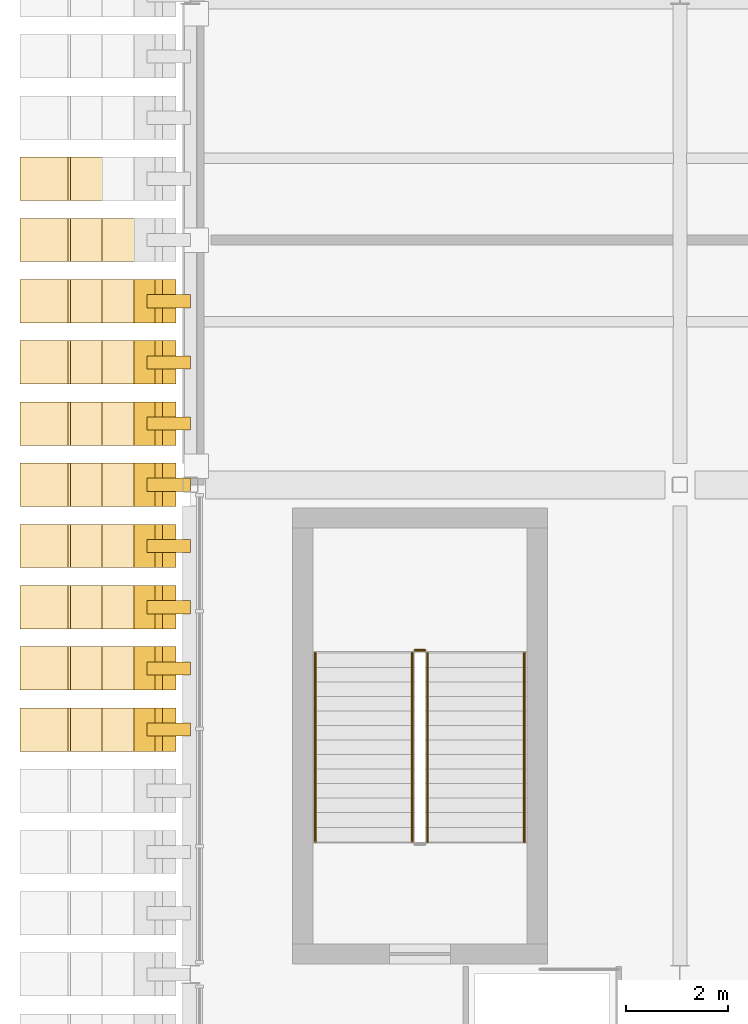
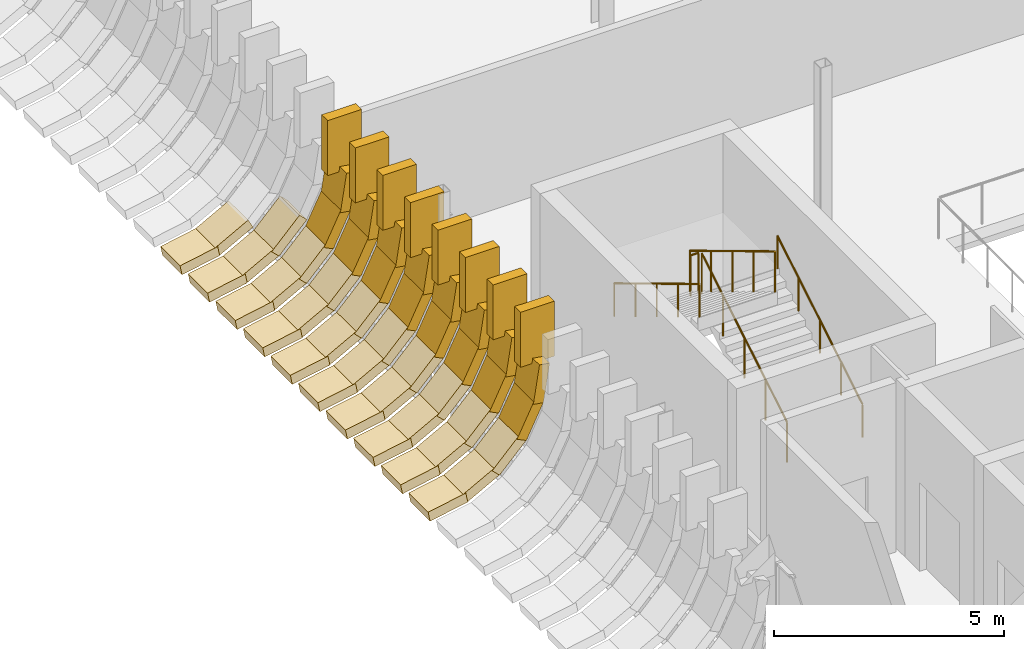
# One storey, part 76 of 100: 53 coverings, 5 railings.
"""IFC4 building model written with IfcOpenShell, lengths in metres."""

from ifc_helpers import new_model, si_unit, direction, frame, origin, origin_2d, place, context, subcontext, project, spatial, rectangle, circle, extrude, material, material_profile, profile_set, type_object, element, save


model = new_model("IFC4")

# Units and contexts
model_context = context("Model", 3, precision=1e-05, world=origin(), true_north=direction((0.0, 1.0)))
body_context = subcontext(model_context, "Body", "Model", "MODEL_VIEW")
ifc_project = project(units=[si_unit("LENGTHUNIT", "METRE"), si_unit("AREAUNIT", "SQUARE_METRE"), si_unit("VOLUMEUNIT", "CUBIC_METRE"), si_unit("PLANEANGLEUNIT", "RADIAN"), si_unit("MASSUNIT", "GRAM", prefix="KILO")], contexts=[model_context])

# Site, building, storey
site_placement = place(None, origin())
site = spatial("IfcSite", under=ifc_project, at=site_placement, CompositionType="ELEMENT")
building_placement = place(site_placement, origin())
building = spatial("IfcBuilding", under=site, at=building_placement, Name="Caelomonte Colonnade Arena", CompositionType="ELEMENT")
storey_placement = place(building_placement, origin())
storey = spatial("IfcBuildingStorey", under=building, at=storey_placement, Name="L00", CompositionType="ELEMENT", Elevation=0.0)

# Coverings
ifc_material_1 = material(Name="Precast travertine cladding", Category="masonry")
ifc_material_profile = material_profile(ifc_material_1, rectangle(XDim=0.260009765625, YDim=0.85009765625, at=origin_2d()), Name="FIN260X850")
ifc_profile_set = profile_set([ifc_material_profile], Name="Precast travertine cladding")
covering_type = type_object("IfcCoveringType", Name="ENV-FN-SKIRT", PredefinedType="CLADDING", material=ifc_profile_set)
covering_1_placement = place(storey_placement, frame((-1.567626953125, 73.199951171875, 1.061767578125), z_axis=(-0.879676382338, 0.0, -0.475572772935), x_axis=(-0.475572772935, 0.0, 0.879676382338)))
element("IfcCovering", 1, at=covering_1_placement, inside=storey, type_object=covering_type, Name="V5 L00 splayed classical fin skirt chord 4 (11)", PredefinedType="CLADDING", context=body_context, shape_type="SweptSolid", body=[
    extrude(rectangle(XDim=0.260009765625, YDim=0.85009765625, at=origin_2d()), origin(), (0.0, 0.0, 1.0), 1.0078125),
])
covering_2_placement = place(storey_placement, frame((-2.370361328125, 73.199951171875, 0.6123046875), z_axis=(-0.982296384632, 0.0, -0.187333426643), x_axis=(-0.187333426643, 0.0, 0.982296384632)))
element("IfcCovering", 2, at=covering_2_placement, inside=storey, type_object=covering_type, Name="V5 L00 splayed classical fin skirt chord 5 (11)", PredefinedType="CLADDING", context=body_context, shape_type="SweptSolid", body=[
    extrude(rectangle(XDim=0.260009765625, YDim=0.85009765625, at=origin_2d()), origin(), (0.0, 0.0, 1.0), 0.963134765625),
])
covering_3_placement = place(storey_placement, frame((-0.938232421875, 72.0, 1.733154296875), z_axis=(-0.694646381209, 0.0, -0.71935137803), x_axis=(-0.71935137803, 0.0, 0.694646381209)))
element("IfcCovering", 3, at=covering_3_placement, inside=storey, type_object=covering_type, Name="V5 L00 splayed classical fin skirt chord 3 (12)", PredefinedType="CLADDING", context=body_context, shape_type="SweptSolid", body=[
    extrude(rectangle(XDim=0.260009765625, YDim=0.85009765625, at=origin_2d()), origin(), (0.0, 0.0, 1.0), 1.008056640625),
])
covering_4_placement = place(storey_placement, frame((-1.567626953125, 72.0, 1.061767578125), z_axis=(-0.879676382338, 0.0, -0.475572772935), x_axis=(-0.475572772935, 0.0, 0.879676382338)))
element("IfcCovering", 4, at=covering_4_placement, inside=storey, type_object=covering_type, Name="V5 L00 splayed classical fin skirt chord 4 (12)", PredefinedType="CLADDING", context=body_context, shape_type="SweptSolid", body=[
    extrude(rectangle(XDim=0.260009765625, YDim=0.85009765625, at=origin_2d()), origin(), (0.0, 0.0, 1.0), 1.0078125),
])
covering_5_placement = place(storey_placement, frame((-2.370361328125, 72.0, 0.6123046875), z_axis=(-0.982296384632, 0.0, -0.187333426643), x_axis=(-0.187333426643, 0.0, 0.982296384632)))
element("IfcCovering", 5, at=covering_5_placement, inside=storey, type_object=covering_type, Name="V5 L00 splayed classical fin skirt chord 5 (12)", PredefinedType="CLADDING", context=body_context, shape_type="SweptSolid", body=[
    extrude(rectangle(XDim=0.260009765625, YDim=0.85009765625, at=origin_2d()), origin(), (0.0, 0.0, 1.0), 0.963134765625),
])
covering_6_placement = place(storey_placement, frame((-0.4208984375, 70.800048828125, 3.360107421875), z_axis=(0.0, 0.0, 1.0), x_axis=(0.0, 1.0, 0.0)))
element("IfcCovering", 6, at=covering_6_placement, inside=storey, type_object=covering_type, Name="V5 L00 upper classical fin stem 13", PredefinedType="CLADDING", context=body_context, shape_type="SweptSolid", body=[
    extrude(rectangle(XDim=0.260009765625, YDim=0.85009765625, at=origin_2d()), origin(), (0.0, 0.0, 1.0), 1.4599609375),
])
covering_7_placement = place(storey_placement, frame((-0.4140625, 70.800048828125, 3.474609375), z_axis=(-0.153076342973, 0.0, -0.988214366027), x_axis=(-0.988214366027, 0.0, 0.153076342973)))
element("IfcCovering", 7, at=covering_7_placement, inside=storey, type_object=covering_type, Name="V5 L00 splayed classical fin skirt chord 1 (13)", PredefinedType="CLADDING", context=body_context, shape_type="SweptSolid", body=[
    extrude(rectangle(XDim=0.260009765625, YDim=0.85009765625, at=origin_2d()), origin(), (0.0, 0.0, 1.0), 1.008056640625),
])
covering_8_placement = place(storey_placement, frame((-0.54150390625, 70.800048828125, 2.563232421875), z_axis=(-0.44449852268, 0.0, -0.895779584125), x_axis=(-0.895779584125, 0.0, 0.44449852268)))
element("IfcCovering", 8, at=covering_8_placement, inside=storey, type_object=covering_type, Name="V5 L00 splayed classical fin skirt chord 2 (13)", PredefinedType="CLADDING", context=body_context, shape_type="SweptSolid", body=[
    extrude(rectangle(XDim=0.260009765625, YDim=0.85009765625, at=origin_2d()), origin(), (0.0, 0.0, 1.0), 1.0078125),
])
covering_9_placement = place(storey_placement, frame((-0.938232421875, 70.800048828125, 1.733154296875), z_axis=(-0.694646381209, 0.0, -0.71935137803), x_axis=(-0.71935137803, 0.0, 0.694646381209)))
element("IfcCovering", 9, at=covering_9_placement, inside=storey, type_object=covering_type, Name="V5 L00 splayed classical fin skirt chord 3 (13)", PredefinedType="CLADDING", context=body_context, shape_type="SweptSolid", body=[
    extrude(rectangle(XDim=0.260009765625, YDim=0.85009765625, at=origin_2d()), origin(), (0.0, 0.0, 1.0), 1.008056640625),
])
covering_10_placement = place(storey_placement, frame((-1.567626953125, 70.800048828125, 1.061767578125), z_axis=(-0.879676382338, 0.0, -0.475572772935), x_axis=(-0.475572772935, 0.0, 0.879676382338)))
element("IfcCovering", 10, at=covering_10_placement, inside=storey, type_object=covering_type, Name="V5 L00 splayed classical fin skirt chord 4 (13)", PredefinedType="CLADDING", context=body_context, shape_type="SweptSolid", body=[
    extrude(rectangle(XDim=0.260009765625, YDim=0.85009765625, at=origin_2d()), origin(), (0.0, 0.0, 1.0), 1.0078125),
])
covering_11_placement = place(storey_placement, frame((-2.370361328125, 70.800048828125, 0.6123046875), z_axis=(-0.982296384632, 0.0, -0.187333426643), x_axis=(-0.187333426643, 0.0, 0.982296384632)))
element("IfcCovering", 11, at=covering_11_placement, inside=storey, type_object=covering_type, Name="V5 L00 splayed classical fin skirt chord 5 (13)", PredefinedType="CLADDING", context=body_context, shape_type="SweptSolid", body=[
    extrude(rectangle(XDim=0.260009765625, YDim=0.85009765625, at=origin_2d()), origin(), (0.0, 0.0, 1.0), 0.963134765625),
])
covering_12_placement = place(storey_placement, frame((-0.4208984375, 69.60009765625, 3.360107421875), z_axis=(0.0, 0.0, 1.0), x_axis=(0.0, 1.0, 0.0)))
element("IfcCovering", 12, at=covering_12_placement, inside=storey, type_object=covering_type, Name="V5 L00 upper classical fin stem 14", PredefinedType="CLADDING", context=body_context, shape_type="SweptSolid", body=[
    extrude(rectangle(XDim=0.260009765625, YDim=0.85009765625, at=origin_2d()), origin(), (0.0, 0.0, 1.0), 1.4599609375),
])
covering_13_placement = place(storey_placement, frame((-0.4140625, 69.60009765625, 3.474609375), z_axis=(-0.153076342973, 0.0, -0.988214366027), x_axis=(-0.988214366027, 0.0, 0.153076342973)))
element("IfcCovering", 13, at=covering_13_placement, inside=storey, type_object=covering_type, Name="V5 L00 splayed classical fin skirt chord 1 (14)", PredefinedType="CLADDING", context=body_context, shape_type="SweptSolid", body=[
    extrude(rectangle(XDim=0.260009765625, YDim=0.85009765625, at=origin_2d()), origin(), (0.0, 0.0, 1.0), 1.008056640625),
])
covering_14_placement = place(storey_placement, frame((-0.54150390625, 69.60009765625, 2.563232421875), z_axis=(-0.44449852268, 0.0, -0.895779584125), x_axis=(-0.895779584125, 0.0, 0.44449852268)))
element("IfcCovering", 14, at=covering_14_placement, inside=storey, type_object=covering_type, Name="V5 L00 splayed classical fin skirt chord 2 (14)", PredefinedType="CLADDING", context=body_context, shape_type="SweptSolid", body=[
    extrude(rectangle(XDim=0.260009765625, YDim=0.85009765625, at=origin_2d()), origin(), (0.0, 0.0, 1.0), 1.0078125),
])
covering_15_placement = place(storey_placement, frame((-0.938232421875, 69.60009765625, 1.733154296875), z_axis=(-0.694646381209, 0.0, -0.71935137803), x_axis=(-0.71935137803, 0.0, 0.694646381209)))
element("IfcCovering", 15, at=covering_15_placement, inside=storey, type_object=covering_type, Name="V5 L00 splayed classical fin skirt chord 3 (14)", PredefinedType="CLADDING", context=body_context, shape_type="SweptSolid", body=[
    extrude(rectangle(XDim=0.260009765625, YDim=0.85009765625, at=origin_2d()), origin(), (0.0, 0.0, 1.0), 1.008056640625),
])
covering_16_placement = place(storey_placement, frame((-1.567626953125, 69.60009765625, 1.061767578125), z_axis=(-0.879676382338, 0.0, -0.475572772935), x_axis=(-0.475572772935, 0.0, 0.879676382338)))
element("IfcCovering", 16, at=covering_16_placement, inside=storey, type_object=covering_type, Name="V5 L00 splayed classical fin skirt chord 4 (14)", PredefinedType="CLADDING", context=body_context, shape_type="SweptSolid", body=[
    extrude(rectangle(XDim=0.260009765625, YDim=0.85009765625, at=origin_2d()), origin(), (0.0, 0.0, 1.0), 1.0078125),
])
covering_17_placement = place(storey_placement, frame((-2.370361328125, 69.60009765625, 0.6123046875), z_axis=(-0.982296384632, 0.0, -0.187333426643), x_axis=(-0.187333426643, 0.0, 0.982296384632)))
element("IfcCovering", 17, at=covering_17_placement, inside=storey, type_object=covering_type, Name="V5 L00 splayed classical fin skirt chord 5 (14)", PredefinedType="CLADDING", context=body_context, shape_type="SweptSolid", body=[
    extrude(rectangle(XDim=0.260009765625, YDim=0.85009765625, at=origin_2d()), origin(), (0.0, 0.0, 1.0), 0.963134765625),
])
covering_18_placement = place(storey_placement, frame((-0.4208984375, 68.39990234375, 3.360107421875), z_axis=(0.0, 0.0, 1.0), x_axis=(0.0, 1.0, 0.0)))
element("IfcCovering", 18, at=covering_18_placement, inside=storey, type_object=covering_type, Name="V5 L00 upper classical fin stem 15", PredefinedType="CLADDING", context=body_context, shape_type="SweptSolid", body=[
    extrude(rectangle(XDim=0.260009765625, YDim=0.85009765625, at=origin_2d()), origin(), (0.0, 0.0, 1.0), 1.4599609375),
])
covering_19_placement = place(storey_placement, frame((-0.4140625, 68.39990234375, 3.474609375), z_axis=(-0.153076342973, 0.0, -0.988214366027), x_axis=(-0.988214366027, 0.0, 0.153076342973)))
element("IfcCovering", 19, at=covering_19_placement, inside=storey, type_object=covering_type, Name="V5 L00 splayed classical fin skirt chord 1 (15)", PredefinedType="CLADDING", context=body_context, shape_type="SweptSolid", body=[
    extrude(rectangle(XDim=0.260009765625, YDim=0.85009765625, at=origin_2d()), origin(), (0.0, 0.0, 1.0), 1.008056640625),
])
covering_20_placement = place(storey_placement, frame((-0.54150390625, 68.39990234375, 2.563232421875), z_axis=(-0.44449852268, 0.0, -0.895779584125), x_axis=(-0.895779584125, 0.0, 0.44449852268)))
element("IfcCovering", 20, at=covering_20_placement, inside=storey, type_object=covering_type, Name="V5 L00 splayed classical fin skirt chord 2 (15)", PredefinedType="CLADDING", context=body_context, shape_type="SweptSolid", body=[
    extrude(rectangle(XDim=0.260009765625, YDim=0.85009765625, at=origin_2d()), origin(), (0.0, 0.0, 1.0), 1.0078125),
])
covering_21_placement = place(storey_placement, frame((-0.938232421875, 68.39990234375, 1.733154296875), z_axis=(-0.694646381209, 0.0, -0.71935137803), x_axis=(-0.71935137803, 0.0, 0.694646381209)))
element("IfcCovering", 21, at=covering_21_placement, inside=storey, type_object=covering_type, Name="V5 L00 splayed classical fin skirt chord 3 (15)", PredefinedType="CLADDING", context=body_context, shape_type="SweptSolid", body=[
    extrude(rectangle(XDim=0.260009765625, YDim=0.85009765625, at=origin_2d()), origin(), (0.0, 0.0, 1.0), 1.008056640625),
])
covering_22_placement = place(storey_placement, frame((-1.567626953125, 68.39990234375, 1.061767578125), z_axis=(-0.879676382338, 0.0, -0.475572772935), x_axis=(-0.475572772935, 0.0, 0.879676382338)))
element("IfcCovering", 22, at=covering_22_placement, inside=storey, type_object=covering_type, Name="V5 L00 splayed classical fin skirt chord 4 (15)", PredefinedType="CLADDING", context=body_context, shape_type="SweptSolid", body=[
    extrude(rectangle(XDim=0.260009765625, YDim=0.85009765625, at=origin_2d()), origin(), (0.0, 0.0, 1.0), 1.0078125),
])
covering_23_placement = place(storey_placement, frame((-2.370361328125, 68.39990234375, 0.6123046875), z_axis=(-0.982296384632, 0.0, -0.187333426643), x_axis=(-0.187333426643, 0.0, 0.982296384632)))
element("IfcCovering", 23, at=covering_23_placement, inside=storey, type_object=covering_type, Name="V5 L00 splayed classical fin skirt chord 5 (15)", PredefinedType="CLADDING", context=body_context, shape_type="SweptSolid", body=[
    extrude(rectangle(XDim=0.260009765625, YDim=0.85009765625, at=origin_2d()), origin(), (0.0, 0.0, 1.0), 0.963134765625),
])
covering_24_placement = place(storey_placement, frame((-0.4208984375, 67.199951171875, 3.360107421875), z_axis=(0.0, 0.0, 1.0), x_axis=(0.0, 1.0, 0.0)))
element("IfcCovering", 24, at=covering_24_placement, inside=storey, type_object=covering_type, Name="V5 L00 upper classical fin stem 16", PredefinedType="CLADDING", context=body_context, shape_type="SweptSolid", body=[
    extrude(rectangle(XDim=0.260009765625, YDim=0.85009765625, at=origin_2d()), origin(), (0.0, 0.0, 1.0), 1.4599609375),
])
covering_25_placement = place(storey_placement, frame((-0.4140625, 67.199951171875, 3.474609375), z_axis=(-0.153076342973, 0.0, -0.988214366027), x_axis=(-0.988214366027, 0.0, 0.153076342973)))
element("IfcCovering", 25, at=covering_25_placement, inside=storey, type_object=covering_type, Name="V5 L00 splayed classical fin skirt chord 1 (16)", PredefinedType="CLADDING", context=body_context, shape_type="SweptSolid", body=[
    extrude(rectangle(XDim=0.260009765625, YDim=0.85009765625, at=origin_2d()), origin(), (0.0, 0.0, 1.0), 1.008056640625),
])
covering_26_placement = place(storey_placement, frame((-0.54150390625, 67.199951171875, 2.563232421875), z_axis=(-0.44449852268, 0.0, -0.895779584125), x_axis=(-0.895779584125, 0.0, 0.44449852268)))
element("IfcCovering", 26, at=covering_26_placement, inside=storey, type_object=covering_type, Name="V5 L00 splayed classical fin skirt chord 2 (16)", PredefinedType="CLADDING", context=body_context, shape_type="SweptSolid", body=[
    extrude(rectangle(XDim=0.260009765625, YDim=0.85009765625, at=origin_2d()), origin(), (0.0, 0.0, 1.0), 1.0078125),
])
covering_27_placement = place(storey_placement, frame((-0.938232421875, 67.199951171875, 1.733154296875), z_axis=(-0.694646381209, 0.0, -0.71935137803), x_axis=(-0.71935137803, 0.0, 0.694646381209)))
element("IfcCovering", 27, at=covering_27_placement, inside=storey, type_object=covering_type, Name="V5 L00 splayed classical fin skirt chord 3 (16)", PredefinedType="CLADDING", context=body_context, shape_type="SweptSolid", body=[
    extrude(rectangle(XDim=0.260009765625, YDim=0.85009765625, at=origin_2d()), origin(), (0.0, 0.0, 1.0), 1.008056640625),
])
covering_28_placement = place(storey_placement, frame((-1.567626953125, 67.199951171875, 1.061767578125), z_axis=(-0.879676382338, 0.0, -0.475572772935), x_axis=(-0.475572772935, 0.0, 0.879676382338)))
element("IfcCovering", 28, at=covering_28_placement, inside=storey, type_object=covering_type, Name="V5 L00 splayed classical fin skirt chord 4 (16)", PredefinedType="CLADDING", context=body_context, shape_type="SweptSolid", body=[
    extrude(rectangle(XDim=0.260009765625, YDim=0.85009765625, at=origin_2d()), origin(), (0.0, 0.0, 1.0), 1.0078125),
])
covering_29_placement = place(storey_placement, frame((-2.370361328125, 67.199951171875, 0.6123046875), z_axis=(-0.982296384632, 0.0, -0.187333426643), x_axis=(-0.187333426643, 0.0, 0.982296384632)))
element("IfcCovering", 29, at=covering_29_placement, inside=storey, type_object=covering_type, Name="V5 L00 splayed classical fin skirt chord 5 (16)", PredefinedType="CLADDING", context=body_context, shape_type="SweptSolid", body=[
    extrude(rectangle(XDim=0.260009765625, YDim=0.85009765625, at=origin_2d()), origin(), (0.0, 0.0, 1.0), 0.963134765625),
])
covering_30_placement = place(storey_placement, frame((-0.4208984375, 66.0, 3.360107421875), z_axis=(0.0, 0.0, 1.0), x_axis=(0.0, 1.0, 0.0)))
element("IfcCovering", 30, at=covering_30_placement, inside=storey, type_object=covering_type, Name="V5 L00 upper classical fin stem 17", PredefinedType="CLADDING", context=body_context, shape_type="SweptSolid", body=[
    extrude(rectangle(XDim=0.260009765625, YDim=0.85009765625, at=origin_2d()), origin(), (0.0, 0.0, 1.0), 1.4599609375),
])
covering_31_placement = place(storey_placement, frame((-0.4140625, 66.0, 3.474609375), z_axis=(-0.153076342973, 0.0, -0.988214366027), x_axis=(-0.988214366027, 0.0, 0.153076342973)))
element("IfcCovering", 31, at=covering_31_placement, inside=storey, type_object=covering_type, Name="V5 L00 splayed classical fin skirt chord 1 (17)", PredefinedType="CLADDING", context=body_context, shape_type="SweptSolid", body=[
    extrude(rectangle(XDim=0.260009765625, YDim=0.85009765625, at=origin_2d()), origin(), (0.0, 0.0, 1.0), 1.008056640625),
])
covering_32_placement = place(storey_placement, frame((-0.54150390625, 66.0, 2.563232421875), z_axis=(-0.44449852268, 0.0, -0.895779584125), x_axis=(-0.895779584125, 0.0, 0.44449852268)))
element("IfcCovering", 32, at=covering_32_placement, inside=storey, type_object=covering_type, Name="V5 L00 splayed classical fin skirt chord 2 (17)", PredefinedType="CLADDING", context=body_context, shape_type="SweptSolid", body=[
    extrude(rectangle(XDim=0.260009765625, YDim=0.85009765625, at=origin_2d()), origin(), (0.0, 0.0, 1.0), 1.0078125),
])
covering_33_placement = place(storey_placement, frame((-0.938232421875, 66.0, 1.733154296875), z_axis=(-0.694646381209, 0.0, -0.71935137803), x_axis=(-0.71935137803, 0.0, 0.694646381209)))
element("IfcCovering", 33, at=covering_33_placement, inside=storey, type_object=covering_type, Name="V5 L00 splayed classical fin skirt chord 3 (17)", PredefinedType="CLADDING", context=body_context, shape_type="SweptSolid", body=[
    extrude(rectangle(XDim=0.260009765625, YDim=0.85009765625, at=origin_2d()), origin(), (0.0, 0.0, 1.0), 1.008056640625),
])
covering_34_placement = place(storey_placement, frame((-1.567626953125, 66.0, 1.061767578125), z_axis=(-0.879676382338, 0.0, -0.475572772935), x_axis=(-0.475572772935, 0.0, 0.879676382338)))
element("IfcCovering", 34, at=covering_34_placement, inside=storey, type_object=covering_type, Name="V5 L00 splayed classical fin skirt chord 4 (17)", PredefinedType="CLADDING", context=body_context, shape_type="SweptSolid", body=[
    extrude(rectangle(XDim=0.260009765625, YDim=0.85009765625, at=origin_2d()), origin(), (0.0, 0.0, 1.0), 1.0078125),
])
covering_35_placement = place(storey_placement, frame((-2.370361328125, 66.0, 0.6123046875), z_axis=(-0.982296384632, 0.0, -0.187333426643), x_axis=(-0.187333426643, 0.0, 0.982296384632)))
element("IfcCovering", 35, at=covering_35_placement, inside=storey, type_object=covering_type, Name="V5 L00 splayed classical fin skirt chord 5 (17)", PredefinedType="CLADDING", context=body_context, shape_type="SweptSolid", body=[
    extrude(rectangle(XDim=0.260009765625, YDim=0.85009765625, at=origin_2d()), origin(), (0.0, 0.0, 1.0), 0.963134765625),
])
covering_36_placement = place(storey_placement, frame((-0.4208984375, 64.800048828125, 3.360107421875), z_axis=(0.0, 0.0, 1.0), x_axis=(0.0, 1.0, 0.0)))
element("IfcCovering", 36, at=covering_36_placement, inside=storey, type_object=covering_type, Name="V5 L00 upper classical fin stem 18", PredefinedType="CLADDING", context=body_context, shape_type="SweptSolid", body=[
    extrude(rectangle(XDim=0.260009765625, YDim=0.85009765625, at=origin_2d()), origin(), (0.0, 0.0, 1.0), 1.4599609375),
])
covering_37_placement = place(storey_placement, frame((-0.4140625, 64.800048828125, 3.474609375), z_axis=(-0.153076342973, 0.0, -0.988214366027), x_axis=(-0.988214366027, 0.0, 0.153076342973)))
element("IfcCovering", 37, at=covering_37_placement, inside=storey, type_object=covering_type, Name="V5 L00 splayed classical fin skirt chord 1 (18)", PredefinedType="CLADDING", context=body_context, shape_type="SweptSolid", body=[
    extrude(rectangle(XDim=0.260009765625, YDim=0.85009765625, at=origin_2d()), origin(), (0.0, 0.0, 1.0), 1.008056640625),
])
covering_38_placement = place(storey_placement, frame((-0.54150390625, 64.800048828125, 2.563232421875), z_axis=(-0.44449852268, 0.0, -0.895779584125), x_axis=(-0.895779584125, 0.0, 0.44449852268)))
element("IfcCovering", 38, at=covering_38_placement, inside=storey, type_object=covering_type, Name="V5 L00 splayed classical fin skirt chord 2 (18)", PredefinedType="CLADDING", context=body_context, shape_type="SweptSolid", body=[
    extrude(rectangle(XDim=0.260009765625, YDim=0.85009765625, at=origin_2d()), origin(), (0.0, 0.0, 1.0), 1.0078125),
])
covering_39_placement = place(storey_placement, frame((-0.938232421875, 64.800048828125, 1.733154296875), z_axis=(-0.694646381209, 0.0, -0.71935137803), x_axis=(-0.71935137803, 0.0, 0.694646381209)))
element("IfcCovering", 39, at=covering_39_placement, inside=storey, type_object=covering_type, Name="V5 L00 splayed classical fin skirt chord 3 (18)", PredefinedType="CLADDING", context=body_context, shape_type="SweptSolid", body=[
    extrude(rectangle(XDim=0.260009765625, YDim=0.85009765625, at=origin_2d()), origin(), (0.0, 0.0, 1.0), 1.008056640625),
])
covering_40_placement = place(storey_placement, frame((-1.567626953125, 64.800048828125, 1.061767578125), z_axis=(-0.879676382338, 0.0, -0.475572772935), x_axis=(-0.475572772935, 0.0, 0.879676382338)))
element("IfcCovering", 40, at=covering_40_placement, inside=storey, type_object=covering_type, Name="V5 L00 splayed classical fin skirt chord 4 (18)", PredefinedType="CLADDING", context=body_context, shape_type="SweptSolid", body=[
    extrude(rectangle(XDim=0.260009765625, YDim=0.85009765625, at=origin_2d()), origin(), (0.0, 0.0, 1.0), 1.0078125),
])
covering_41_placement = place(storey_placement, frame((-2.370361328125, 64.800048828125, 0.6123046875), z_axis=(-0.982296384632, 0.0, -0.187333426643), x_axis=(-0.187333426643, 0.0, 0.982296384632)))
element("IfcCovering", 41, at=covering_41_placement, inside=storey, type_object=covering_type, Name="V5 L00 splayed classical fin skirt chord 5 (18)", PredefinedType="CLADDING", context=body_context, shape_type="SweptSolid", body=[
    extrude(rectangle(XDim=0.260009765625, YDim=0.85009765625, at=origin_2d()), origin(), (0.0, 0.0, 1.0), 0.963134765625),
])
covering_42_placement = place(storey_placement, frame((-0.4208984375, 63.60009765625, 3.360107421875), z_axis=(0.0, 0.0, 1.0), x_axis=(0.0, 1.0, 0.0)))
element("IfcCovering", 42, at=covering_42_placement, inside=storey, type_object=covering_type, Name="V5 L00 upper classical fin stem 19", PredefinedType="CLADDING", context=body_context, shape_type="SweptSolid", body=[
    extrude(rectangle(XDim=0.260009765625, YDim=0.85009765625, at=origin_2d()), origin(), (0.0, 0.0, 1.0), 1.4599609375),
])
covering_43_placement = place(storey_placement, frame((-0.4140625, 63.60009765625, 3.474609375), z_axis=(-0.153076342973, 0.0, -0.988214366027), x_axis=(-0.988214366027, 0.0, 0.153076342973)))
element("IfcCovering", 43, at=covering_43_placement, inside=storey, type_object=covering_type, Name="V5 L00 splayed classical fin skirt chord 1 (19)", PredefinedType="CLADDING", context=body_context, shape_type="SweptSolid", body=[
    extrude(rectangle(XDim=0.260009765625, YDim=0.85009765625, at=origin_2d()), origin(), (0.0, 0.0, 1.0), 1.008056640625),
])
covering_44_placement = place(storey_placement, frame((-0.54150390625, 63.60009765625, 2.563232421875), z_axis=(-0.44449852268, 0.0, -0.895779584125), x_axis=(-0.895779584125, 0.0, 0.44449852268)))
element("IfcCovering", 44, at=covering_44_placement, inside=storey, type_object=covering_type, Name="V5 L00 splayed classical fin skirt chord 2 (19)", PredefinedType="CLADDING", context=body_context, shape_type="SweptSolid", body=[
    extrude(rectangle(XDim=0.260009765625, YDim=0.85009765625, at=origin_2d()), origin(), (0.0, 0.0, 1.0), 1.0078125),
])
covering_45_placement = place(storey_placement, frame((-0.938232421875, 63.60009765625, 1.733154296875), z_axis=(-0.694646381209, 0.0, -0.71935137803), x_axis=(-0.71935137803, 0.0, 0.694646381209)))
element("IfcCovering", 45, at=covering_45_placement, inside=storey, type_object=covering_type, Name="V5 L00 splayed classical fin skirt chord 3 (19)", PredefinedType="CLADDING", context=body_context, shape_type="SweptSolid", body=[
    extrude(rectangle(XDim=0.260009765625, YDim=0.85009765625, at=origin_2d()), origin(), (0.0, 0.0, 1.0), 1.008056640625),
])
covering_46_placement = place(storey_placement, frame((-1.567626953125, 63.60009765625, 1.061767578125), z_axis=(-0.879676382338, 0.0, -0.475572772935), x_axis=(-0.475572772935, 0.0, 0.879676382338)))
element("IfcCovering", 46, at=covering_46_placement, inside=storey, type_object=covering_type, Name="V5 L00 splayed classical fin skirt chord 4 (19)", PredefinedType="CLADDING", context=body_context, shape_type="SweptSolid", body=[
    extrude(rectangle(XDim=0.260009765625, YDim=0.85009765625, at=origin_2d()), origin(), (0.0, 0.0, 1.0), 1.0078125),
])
covering_47_placement = place(storey_placement, frame((-2.370361328125, 63.60009765625, 0.6123046875), z_axis=(-0.982296384632, 0.0, -0.187333426643), x_axis=(-0.187333426643, 0.0, 0.982296384632)))
element("IfcCovering", 47, at=covering_47_placement, inside=storey, type_object=covering_type, Name="V5 L00 splayed classical fin skirt chord 5 (19)", PredefinedType="CLADDING", context=body_context, shape_type="SweptSolid", body=[
    extrude(rectangle(XDim=0.260009765625, YDim=0.85009765625, at=origin_2d()), origin(), (0.0, 0.0, 1.0), 0.963134765625),
])
covering_48_placement = place(storey_placement, frame((-0.4208984375, 62.39990234375, 3.360107421875), z_axis=(0.0, 0.0, 1.0), x_axis=(0.0, 1.0, 0.0)))
element("IfcCovering", 48, at=covering_48_placement, inside=storey, type_object=covering_type, Name="V5 L00 upper classical fin stem 20", PredefinedType="CLADDING", context=body_context, shape_type="SweptSolid", body=[
    extrude(rectangle(XDim=0.260009765625, YDim=0.85009765625, at=origin_2d()), origin(), (0.0, 0.0, 1.0), 1.4599609375),
])
covering_49_placement = place(storey_placement, frame((-0.4140625, 62.39990234375, 3.474609375), z_axis=(-0.153076342973, 0.0, -0.988214366027), x_axis=(-0.988214366027, 0.0, 0.153076342973)))
element("IfcCovering", 49, at=covering_49_placement, inside=storey, type_object=covering_type, Name="V5 L00 splayed classical fin skirt chord 1 (20)", PredefinedType="CLADDING", context=body_context, shape_type="SweptSolid", body=[
    extrude(rectangle(XDim=0.260009765625, YDim=0.85009765625, at=origin_2d()), origin(), (0.0, 0.0, 1.0), 1.008056640625),
])
covering_50_placement = place(storey_placement, frame((-0.54150390625, 62.39990234375, 2.563232421875), z_axis=(-0.44449852268, 0.0, -0.895779584125), x_axis=(-0.895779584125, 0.0, 0.44449852268)))
element("IfcCovering", 50, at=covering_50_placement, inside=storey, type_object=covering_type, Name="V5 L00 splayed classical fin skirt chord 2 (20)", PredefinedType="CLADDING", context=body_context, shape_type="SweptSolid", body=[
    extrude(rectangle(XDim=0.260009765625, YDim=0.85009765625, at=origin_2d()), origin(), (0.0, 0.0, 1.0), 1.0078125),
])
covering_51_placement = place(storey_placement, frame((-0.938232421875, 62.39990234375, 1.733154296875), z_axis=(-0.694646381209, 0.0, -0.71935137803), x_axis=(-0.71935137803, 0.0, 0.694646381209)))
element("IfcCovering", 51, at=covering_51_placement, inside=storey, type_object=covering_type, Name="V5 L00 splayed classical fin skirt chord 3 (20)", PredefinedType="CLADDING", context=body_context, shape_type="SweptSolid", body=[
    extrude(rectangle(XDim=0.260009765625, YDim=0.85009765625, at=origin_2d()), origin(), (0.0, 0.0, 1.0), 1.008056640625),
])
covering_52_placement = place(storey_placement, frame((-1.567626953125, 62.39990234375, 1.061767578125), z_axis=(-0.879676382338, 0.0, -0.475572772935), x_axis=(-0.475572772935, 0.0, 0.879676382338)))
element("IfcCovering", 52, at=covering_52_placement, inside=storey, type_object=covering_type, Name="V5 L00 splayed classical fin skirt chord 4 (20)", PredefinedType="CLADDING", context=body_context, shape_type="SweptSolid", body=[
    extrude(rectangle(XDim=0.260009765625, YDim=0.85009765625, at=origin_2d()), origin(), (0.0, 0.0, 1.0), 1.0078125),
])
covering_53_placement = place(storey_placement, frame((-2.370361328125, 62.39990234375, 0.6123046875), z_axis=(-0.982296384632, 0.0, -0.187333426643), x_axis=(-0.187333426643, 0.0, 0.982296384632)))
element("IfcCovering", 53, at=covering_53_placement, inside=storey, type_object=covering_type, Name="V5 L00 splayed classical fin skirt chord 5 (20)", PredefinedType="CLADDING", context=body_context, shape_type="SweptSolid", body=[
    extrude(rectangle(XDim=0.260009765625, YDim=0.85009765625, at=origin_2d()), origin(), (0.0, 0.0, 1.0), 0.963134765625),
])

# Railings
ifc_material_2 = material(Name="Painted galvanized steel stair guard", Category="steel")
railing_type_1 = type_object("IfcRailingType", Name="INT-RL-GRD", PredefinedType="GUARDRAIL", material=ifc_material_2)
railing_1_placement = place(storey_placement, frame((4.64990234375, 60.199951171875, 0.17138671875)))
element("IfcRailing", 54, at=railing_1_placement, inside=storey, type_object=railing_type_1, Name="L00 ST-08 stair guard 1", PredefinedType="GUARDRAIL", context=body_context, shape_type="SweptSolid", body=[
    extrude(circle(Radius=0.02392578125, at=origin_2d()), frame((0.0, 0.0, 1.076171875), z_axis=(0.0, 0.856934400257, 0.515425487977), x_axis=(-1.0, 0.0, 0.0)), (0.0, 0.0, 1.0), 4.32373046875),
    extrude(circle(Radius=0.02099609375, at=origin_2d()), origin(), (0.0, 0.0, 1.0), 1.048095703125),
    extrude(circle(Radius=0.02099609375, at=origin_2d()), frame((0.0, 0.92626953125, 0.55712890625)), (0.0, 0.0, 1.0), 1.048095703125),
    extrude(circle(Radius=0.02099609375, at=origin_2d()), frame((0.0, 1.8525390625, 1.1142578125)), (0.0, 0.0, 1.0), 1.048095703125),
    extrude(circle(Radius=0.02099609375, at=origin_2d()), frame((0.0, 2.77880859375, 1.67138671875)), (0.0, 0.0, 1.0), 1.048095703125),
    extrude(circle(Radius=0.02099609375, at=origin_2d()), frame((0.0, 3.705078125, 2.228515625)), (0.0, 0.0, 1.0), 1.048095703125),
])
railing_2_placement = place(storey_placement, frame((4.60009765625, 63.955078125, 2.39990234375)))
element("IfcRailing", 55, at=railing_2_placement, inside=storey, type_object=railing_type_1, Name="L00 ST-08 stair guard 2", PredefinedType="GUARDRAIL", context=body_context, shape_type="SweptSolid", body=[
    extrude(circle(Radius=0.02392578125, at=origin_2d()), frame((0.0, 0.0, 1.076171875), z_axis=(-1.0, 0.0, 0.0), x_axis=(0.0, -1.0, 0.0)), (0.0, 0.0, 1.0), 0.2001953125),
    extrude(circle(Radius=0.02099609375, at=origin_2d()), origin(), (0.0, 0.0, 1.0), 1.048095703125),
    extrude(circle(Radius=0.02099609375, at=origin_2d()), frame((-0.2001953125, 0.0, 0.0)), (0.0, 0.0, 1.0), 1.048095703125),
])
railing_3_placement = place(storey_placement, frame((4.35009765625, 63.905029296875, 2.571533203125)))
element("IfcRailing", 56, at=railing_3_placement, inside=storey, type_object=railing_type_1, Name="L00 ST-08 stair guard 3", PredefinedType="GUARDRAIL", context=body_context, shape_type="SweptSolid", body=[
    extrude(circle(Radius=0.02392578125, at=origin_2d()), frame((0.0, 0.0, 1.076171875), z_axis=(0.0, -0.856934400257, 0.515425487977), x_axis=(1.0, 0.0, 0.0)), (0.0, 0.0, 1.0), 4.32373046875),
    extrude(circle(Radius=0.02099609375, at=origin_2d()), origin(), (0.0, 0.0, 1.0), 1.048095703125),
    extrude(circle(Radius=0.02099609375, at=origin_2d()), frame((0.0, -0.92626953125, 0.55712890625)), (0.0, 0.0, 1.0), 1.048095703125),
    extrude(circle(Radius=0.02099609375, at=origin_2d()), frame((0.0, -1.8525390625, 1.1142578125)), (0.0, 0.0, 1.0), 1.048095703125),
    extrude(circle(Radius=0.02099609375, at=origin_2d()), frame((0.0, -2.77880859375, 1.67138671875)), (0.0, 0.0, 1.0), 1.048095703125),
    extrude(circle(Radius=0.02099609375, at=origin_2d()), frame((0.0, -3.705078125, 2.228515625)), (0.0, 0.0, 1.0), 1.048095703125),
])
ifc_material_3 = material(Name="Brushed stainless steel stair handrail", Category="steel")
railing_type_2 = type_object("IfcRailingType", Name="INT-RL-HR", PredefinedType="HANDRAIL", material=ifc_material_3)
railing_4_placement = place(storey_placement, frame((6.550048828125, 60.199951171875, 0.17138671875)))
element("IfcRailing", 57, at=railing_4_placement, inside=storey, type_object=railing_type_2, Name="L00 ST-08 stair handrail 1", PredefinedType="HANDRAIL", context=body_context, shape_type="SweptSolid", body=[
    extrude(circle(Radius=0.02392578125, at=origin_2d()), frame((0.0, 0.0, 0.8759765625), z_axis=(0.0, 0.856934400257, 0.515425487977), x_axis=(-1.0, 0.0, 0.0)), (0.0, 0.0, 1.0), 4.32373046875),
    extrude(circle(Radius=0.02099609375, at=origin_2d()), origin(), (0.0, 0.0, 1.0), 0.847900390625),
    extrude(circle(Radius=0.02099609375, at=origin_2d()), frame((0.0, 0.92626953125, 0.55712890625)), (0.0, 0.0, 1.0), 0.847900390625),
    extrude(circle(Radius=0.02099609375, at=origin_2d()), frame((0.0, 1.8525390625, 1.1142578125)), (0.0, 0.0, 1.0), 0.847900390625),
    extrude(circle(Radius=0.02099609375, at=origin_2d()), frame((0.0, 2.77880859375, 1.67138671875)), (0.0, 0.0, 1.0), 0.847900390625),
    extrude(circle(Radius=0.02099609375, at=origin_2d()), frame((0.0, 3.705078125, 2.228515625)), (0.0, 0.0, 1.0), 0.847900390625),
])
railing_5_placement = place(storey_placement, frame((2.449951171875, 63.905029296875, 2.571533203125)))
element("IfcRailing", 58, at=railing_5_placement, inside=storey, type_object=railing_type_2, Name="L00 ST-08 stair handrail 2", PredefinedType="HANDRAIL", context=body_context, shape_type="SweptSolid", body=[
    extrude(circle(Radius=0.02392578125, at=origin_2d()), frame((0.0, 0.0, 0.8759765625), z_axis=(0.0, -0.856934400257, 0.515425487977), x_axis=(1.0, 0.0, 0.0)), (0.0, 0.0, 1.0), 4.32373046875),
    extrude(circle(Radius=0.02099609375, at=origin_2d()), origin(), (0.0, 0.0, 1.0), 0.847900390625),
    extrude(circle(Radius=0.02099609375, at=origin_2d()), frame((0.0, -0.92626953125, 0.55712890625)), (0.0, 0.0, 1.0), 0.847900390625),
    extrude(circle(Radius=0.02099609375, at=origin_2d()), frame((0.0, -1.8525390625, 1.1142578125)), (0.0, 0.0, 1.0), 0.847900390625),
    extrude(circle(Radius=0.02099609375, at=origin_2d()), frame((0.0, -2.77880859375, 1.67138671875)), (0.0, 0.0, 1.0), 0.847900390625),
    extrude(circle(Radius=0.02099609375, at=origin_2d()), frame((0.0, -3.705078125, 2.228515625)), (0.0, 0.0, 1.0), 0.847900390625),
])

save(model, "model.ifc")
